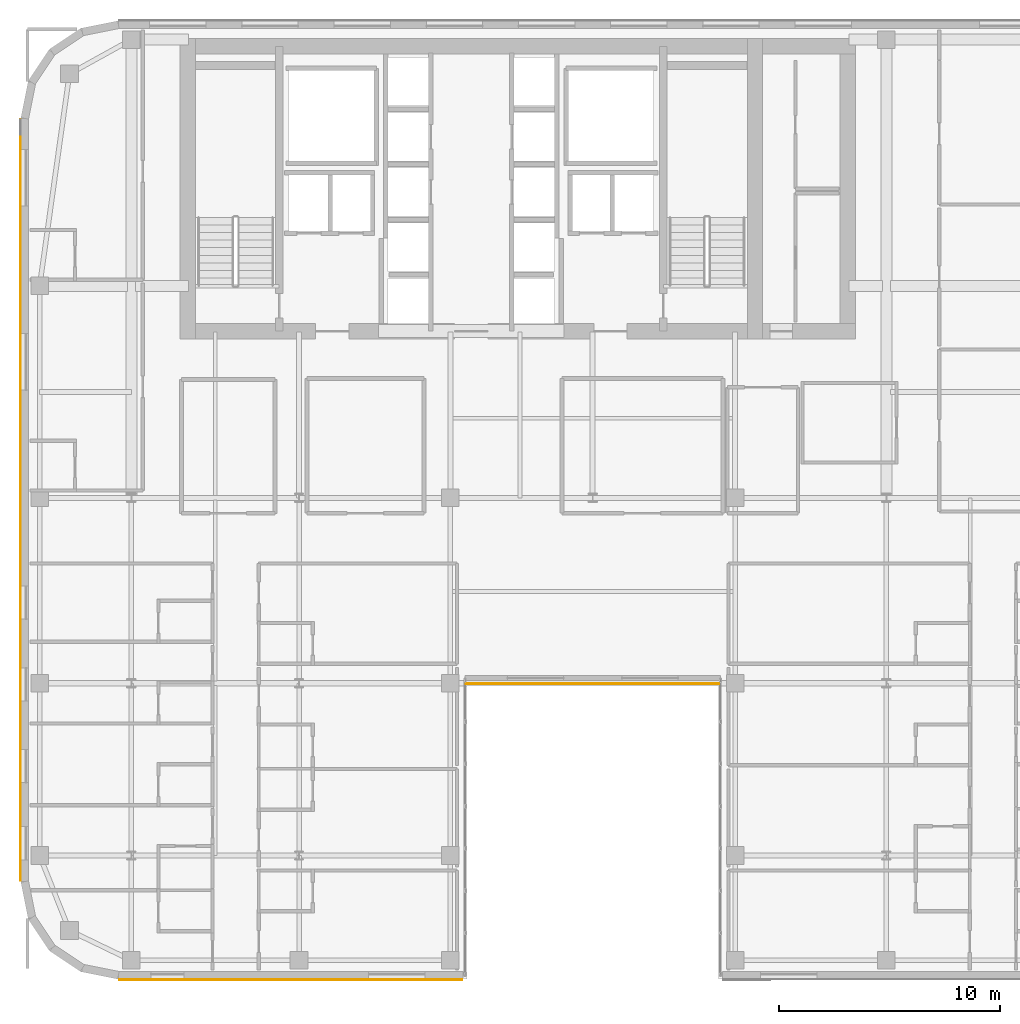
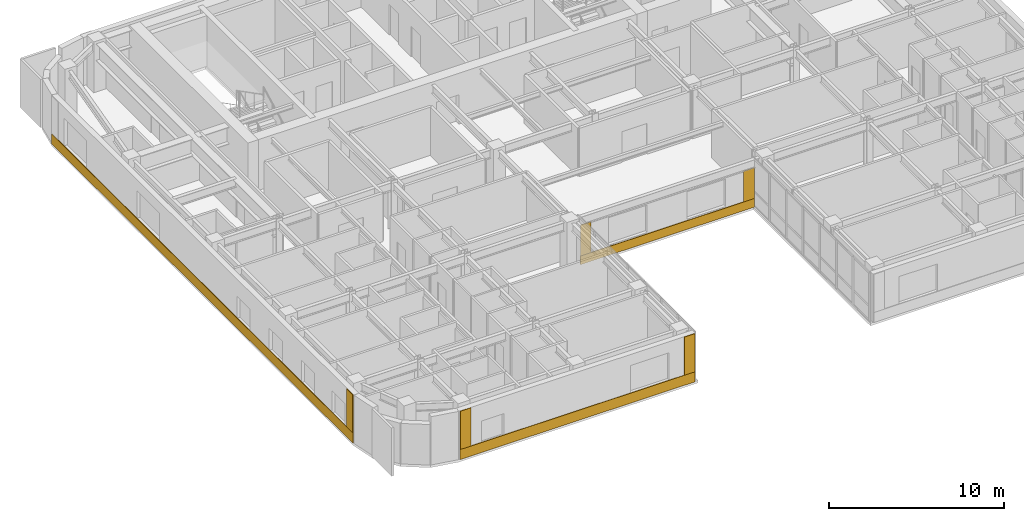
# One storey, part 17 of 21: 8 coverings.
"""IFC4 building model written with IfcOpenShell, lengths in metres."""

import ifcopenshell
import ifcopenshell.guid

model = None  # the IFC model being written
_history = None  # IfcOwnerHistory: only IFC2X3 demands one
_inside = {}  # id of a spatial element -> (the spatial element, [elements in it])
_under = {}  # id of a project, library or spatial element -> (it, [spatial elements below it])
_declared = {}  # id of a project -> (the project, [libraries it declares])
_typed = {}  # id of a type object -> (the type object, [elements of that type])
_made_of = {}  # id of a material, layer set ... -> (it, [elements and type objects made of it])


def new_model(schema):
    """Start an empty IFC model of exactly this schema.

    Asked for "IFC4X3", IfcOpenShell would pick the latest addendum, in which some entities
    have other attributes; the version numbers below select the first issue.
    IFC2X3 requires an IfcOwnerHistory on every rooted entity: one is made here for all.
    """
    global model, _history
    if schema == "IFC4X3":
        model = ifcopenshell.file(schema_version=(4, 3, 0, 0))
    else:
        model = ifcopenshell.file(schema=schema)
    _inside.clear()
    _under.clear()
    _declared.clear()
    _typed.clear()
    _made_of.clear()
    _history = None
    if model.schema == "IFC2X3":
        org = make("IfcOrganization", Name="unknown")
        user = make(
            "IfcPersonAndOrganization",
            ThePerson=make("IfcPerson", FamilyName="unknown"),
            TheOrganization=org,
        )
        app = make(
            "IfcApplication",
            ApplicationDeveloper=org,
            Version="unknown",
            ApplicationFullName="unknown",
            ApplicationIdentifier="unknown",
        )
        _history = make(
            "IfcOwnerHistory",
            OwningUser=user,
            OwningApplication=app,
            ChangeAction="ADDED",
            CreationDate=0,
        )
    return model


def make(cls, **values):
    """One entity of the class cls with the attributes given. An attribute that is None is left unset."""
    return model.create_entity(
        cls, **{name: value for name, value in values.items() if value is not None}
    )


def rooted(cls, **values):
    """An entity with a GlobalId (a new one), such as an element, a storey or a relation."""
    return make(cls, GlobalId=ifcopenshell.guid.new(), OwnerHistory=_history, **values)


def si_unit(unit_type, name, prefix=None):
    """IfcSIUnit, for example si_unit("LENGTHUNIT", "METRE", prefix="MILLI")."""
    return make("IfcSIUnit", UnitType=unit_type, Prefix=prefix, Name=name)


def assignment(units):
    """IfcUnitAssignment: the units of a project."""
    return None if units is None else make("IfcUnitAssignment", Units=units)


def point(xyz):
    """IfcCartesianPoint."""
    return None if xyz is None else make("IfcCartesianPoint", Coordinates=xyz)


def direction(xyz):
    """IfcDirection."""
    return None if xyz is None else make("IfcDirection", DirectionRatios=xyz)


def frame(location, z_axis=None, x_axis=None):
    """IfcAxis2Placement3D, a coordinate frame: its origin and axes. An axis left out is left unset."""
    return make(
        "IfcAxis2Placement3D",
        Location=point(location),
        Axis=direction(z_axis),
        RefDirection=direction(x_axis),
    )


def origin():
    """The frame at (0, 0, 0) with its axes left unset."""
    return frame((0.0, 0.0, 0.0))


def place(relative_to, where):
    """IfcLocalPlacement: puts the frame where relative to a parent placement (None: the world)."""
    return make(
        "IfcLocalPlacement", PlacementRelTo=relative_to, RelativePlacement=where
    )


def context(
    kind, dimensions, precision=None, world=None, true_north=None, identifier=None
):
    """IfcGeometricRepresentationContext, for example the 3D "Model" context."""
    return make(
        "IfcGeometricRepresentationContext",
        ContextIdentifier=identifier,
        ContextType=kind,
        CoordinateSpaceDimension=dimensions,
        Precision=precision,
        WorldCoordinateSystem=world,
        TrueNorth=true_north,
    )


def subcontext(parent, identifier, kind, view, scale=None):
    """IfcGeometricRepresentationSubContext, for example "Body" below "Model"."""
    return make(
        "IfcGeometricRepresentationSubContext",
        ContextIdentifier=identifier,
        ContextType=kind,
        ParentContext=parent,
        TargetScale=scale,
        TargetView=view,
    )


def project(units=None, contexts=None):
    """IfcProject with its units and contexts."""
    return rooted(
        "IfcProject",
        Name="project",
        RepresentationContexts=contexts,
        UnitsInContext=assignment(units),
    )


def spatial(cls, under=None, at=None, **own):
    """A site, building, storey or space (cls), placed at a placement, below another one or the project."""
    s = rooted(cls, ObjectPlacement=at, **own)
    if under is not None:
        _under.setdefault(under.id(), (under, []))[1].append(s)
    return s


def polyline(points):
    """IfcPolyline through the points."""
    return make("IfcPolyline", Points=[point(p) for p in points])


def outline(outer, holes=None, kind="AREA"):
    """IfcArbitraryClosedProfileDef: a profile drawn as a closed curve; with holes, ...WithVoids."""
    if holes is None:
        return make("IfcArbitraryClosedProfileDef", ProfileType=kind, OuterCurve=outer)
    return make(
        "IfcArbitraryProfileDefWithVoids",
        ProfileType=kind,
        OuterCurve=outer,
        InnerCurves=holes,
    )


def extrude(swept, where, along, depth):
    """IfcExtrudedAreaSolid: the profile swept, set in the frame where, extruded along a direction by depth."""
    return make(
        "IfcExtrudedAreaSolid",
        SweptArea=swept,
        Position=where,
        ExtrudedDirection=direction(along),
        Depth=depth,
    )


def shape(context_of_items, identifier, shape_type, items):
    """IfcShapeRepresentation: the items that make up one representation, for example the "Body"."""
    return make(
        "IfcShapeRepresentation",
        ContextOfItems=context_of_items,
        RepresentationIdentifier=identifier,
        RepresentationType=shape_type,
        Items=items,
    )


def material(Name=None, Category=None):
    """IfcMaterial."""
    return make("IfcMaterial", Name=Name, Category=Category)


def layer(
    of_material, thickness, ventilated=None, Name=None, Category=None, Priority=None
):
    """IfcMaterialLayer: one layer of a wall or slab, of a material (None: an air gap)."""
    return make(
        "IfcMaterialLayer",
        Material=of_material,
        LayerThickness=thickness,
        IsVentilated=ventilated,
        Name=Name,
        Category=Category,
        Priority=Priority,
    )


def layer_set(layers, Name=None):
    """IfcMaterialLayerSet."""
    return make("IfcMaterialLayerSet", MaterialLayers=layers, LayerSetName=Name)


def made_of(thing, what):
    """Note that an element or type object is made of a material, layer set ...; save() writes the relation."""
    if what is not None:
        _made_of.setdefault(what.id(), (what, []))[1].append(thing)
    return thing


def type_object(cls, material=None, **own):
    """A type object (cls), such as IfcWallType, which elements share."""
    return made_of(rooted(cls, **own), material)


def element(
    cls,
    number,
    at=None,
    inside=None,
    cuts=None,
    type_object=None,
    material=None,
    context=None,
    identifier="Body",
    shape_type=None,
    held_by="IfcProductDefinitionShape",
    body=None,
    shapes=None,
    **own,
):
    """One element of the class cls, such as IfcWall. Its Tag is "e" and its number.

    at: its placement. inside: the storey or other place that contains it. cuts: it is an
    opening in that element (IfcRelVoidsElement). A single representation is given by context,
    identifier, shape_type and body (its items); several are given by shapes. held_by: the class
    of the entity that holds the representations. save() writes the other relations.
    """
    e = rooted(cls, Tag="e%d" % number, ObjectPlacement=at, **own)
    if body is not None:
        shapes = [shape(context, identifier, shape_type, body)]
    if shapes is not None:
        e.Representation = make(held_by, Representations=shapes)
    if inside is not None:
        _inside.setdefault(inside.id(), (inside, []))[1].append(e)
    if cuts is not None:
        rooted(
            "IfcRelVoidsElement", RelatingBuildingElement=cuts, RelatedOpeningElement=e
        )
    if type_object is not None:
        _typed.setdefault(type_object.id(), (type_object, []))[1].append(e)
    return made_of(e, material)


def aggregate(whole, parts):
    """IfcRelAggregates: a whole, such as a stair, and the parts it consists of."""
    return rooted("IfcRelAggregates", RelatingObject=whole, RelatedObjects=parts)


def save(model, path):
    """Write the relations noted so far, then the file.

    IfcRelAggregates (storeys below a building ...), IfcRelContainedInSpatialStructure (elements
    in a storey), IfcRelDefinesByType, IfcRelAssociatesMaterial and IfcRelDeclares: one each for
    every whole, place, type object, material and project.
    """
    for whole, parts in _under.values():
        aggregate(whole, parts)
    for where, things in _inside.values():
        rooted(
            "IfcRelContainedInSpatialStructure",
            RelatedElements=things,
            RelatingStructure=where,
        )
    for kind, things in _typed.values():
        rooted("IfcRelDefinesByType", RelatedObjects=things, RelatingType=kind)
    for what, things in _made_of.values():
        rooted("IfcRelAssociatesMaterial", RelatedObjects=things, RelatingMaterial=what)
    for by, libraries in _declared.values():
        rooted("IfcRelDeclares", RelatingContext=by, RelatedDefinitions=libraries)
    model.write(path)


model = new_model("IFC4")

# Units and contexts
model_context = context("Model", 3, precision=1e-05, world=origin(), true_north=direction((0.0, 1.0)))
body_context = subcontext(model_context, "Body", "Model", "MODEL_VIEW")
ifc_project = project(units=[si_unit("LENGTHUNIT", "METRE"), si_unit("AREAUNIT", "SQUARE_METRE"), si_unit("VOLUMEUNIT", "CUBIC_METRE"), si_unit("PLANEANGLEUNIT", "RADIAN"), si_unit("MASSUNIT", "GRAM", prefix="KILO")], contexts=[model_context])

# Site, building, storey
site_placement = place(None, origin())
site = spatial("IfcSite", under=ifc_project, at=site_placement, CompositionType="ELEMENT")
building_placement = place(site_placement, origin())
building = spatial("IfcBuilding", under=site, at=building_placement, Name="Tolvann Quenvar Hotel", CompositionType="ELEMENT")
storey_placement = place(building_placement, frame((0.0, 0.0, 161.25)))
storey = spatial("IfcBuildingStorey", under=building, at=storey_placement, Name="L42", CompositionType="ELEMENT", Elevation=161.25)

# Coverings
ifc_material_1 = material(Name="Kiln-fired red architectural face brick cladding", Category="masonry")
ifc_layer_1 = layer(ifc_material_1, 0.0400390625)
ifc_layer_set_1 = layer_set([ifc_layer_1], Name="Kiln-fired red architectural face brick cladding")
covering_type_1 = type_object("IfcCoveringType", Name="COV_CLAD_BRICK_40", PredefinedType="CLADDING", material=ifc_layer_set_1)
covering_1_placement = place(storey_placement, frame((0.0, 0.0, 0.699951171875)))
element("IfcCovering", 1, at=covering_1_placement, inside=storey, type_object=covering_type_1, Name="Brick Pier Cladding (L42-E04-P1)", PredefinedType="CLADDING", context=body_context, shape_type="SweptSolid", body=[
    extrude(outline(polyline([(7.067138671875, 2.60009765625), (7.76708984375, 2.60009765625), (7.76708984375, 2.56005859375), (7.067138671875, 2.56005859375), (7.067138671875, 2.60009765625)])), origin(), (0.0, 0.0, 1.0), 2.670166015625),
])
covering_2_placement = place(storey_placement, frame((0.0, 0.0, 0.699951171875)))
element("IfcCovering", 2, at=covering_2_placement, inside=storey, type_object=covering_type_1, Name="Brick Pier Cladding (L42-E04-P2)", PredefinedType="CLADDING", context=body_context, shape_type="SweptSolid", body=[
    extrude(outline(polyline([(21.875, 2.60009765625), (22.574951171875, 2.60009765625), (22.574951171875, 2.56005859375), (21.875, 2.56005859375), (21.875, 2.60009765625)])), origin(), (0.0, 0.0, 1.0), 2.670166015625),
])
covering_3_placement = place(storey_placement, frame((0.0, 0.0, 0.606689453125)))
element("IfcCovering", 3, at=covering_3_placement, inside=storey, type_object=covering_type_1, Name="Brick Pier Cladding (L42-E06-P1)", PredefinedType="CLADDING", context=body_context, shape_type="SweptSolid", body=[
    extrude(outline(polyline([(22.760009765625, 16.0), (23.4599609375, 16.0), (23.4599609375, 15.9599609375), (22.760009765625, 15.9599609375), (22.760009765625, 16.0)])), origin(), (0.0, 0.0, 1.0), 2.1513671875),
])
covering_4_placement = place(storey_placement, frame((0.0, 0.0, 0.606689453125)))
element("IfcCovering", 4, at=covering_4_placement, inside=storey, type_object=covering_type_1, Name="Brick Pier Cladding (L42-E06-P2)", PredefinedType="CLADDING", context=body_context, shape_type="SweptSolid", body=[
    extrude(outline(polyline([(33.5400390625, 16.0), (34.239990234375, 16.0), (34.239990234375, 15.9599609375), (33.5400390625, 15.9599609375), (33.5400390625, 16.0)])), origin(), (0.0, 0.0, 1.0), 2.1513671875),
])
covering_5_placement = place(storey_placement, frame((0.0, 0.0, 0.699951171875)))
element("IfcCovering", 5, at=covering_5_placement, inside=storey, type_object=covering_type_1, Name="Brick Pier Cladding (L42-E23-P2)", PredefinedType="CLADDING", context=body_context, shape_type="SweptSolid", body=[
    extrude(outline(polyline([(2.60009765625, 7.76708984375), (2.60009765625, 7.067138671875), (2.56005859375, 7.067138671875), (2.56005859375, 7.76708984375), (2.60009765625, 7.76708984375)])), origin(), (0.0, 0.0, 1.0), 2.670166015625),
])
ifc_material_2 = material(Name="Moulded buff architectural terracotta spandrel cladding", Category="masonry")
ifc_layer_2 = layer(ifc_material_2, 0.0400390625)
ifc_layer_set_2 = layer_set([ifc_layer_2], Name="Moulded buff architectural terracotta spandrel cladding")
covering_type_2 = type_object("IfcCoveringType", Name="COV_CLAD_TERRA_40", PredefinedType="CLADDING", material=ifc_layer_set_2)
covering_6_placement = place(storey_placement, origin())
element("IfcCovering", 6, at=covering_6_placement, inside=storey, type_object=covering_type_2, Name="Terracotta Spandrel Cladding (L42-E04)", PredefinedType="CLADDING", context=body_context, shape_type="SweptSolid", body=[
    extrude(outline(polyline([(7.05712890625, 2.60009765625), (22.5849609375, 2.60009765625), (22.5849609375, 2.56005859375), (7.05712890625, 2.56005859375), (7.05712890625, 2.60009765625)])), origin(), (0.0, 0.0, 1.0), 0.699951171875),
])
covering_7_placement = place(storey_placement, origin())
element("IfcCovering", 7, at=covering_7_placement, inside=storey, type_object=covering_type_2, Name="Terracotta Spandrel Cladding (L42-E06)", PredefinedType="CLADDING", context=body_context, shape_type="SweptSolid", body=[
    extrude(outline(polyline([(22.75, 16.0), (34.25, 16.0), (34.25, 15.9599609375), (22.75, 15.9599609375), (22.75, 16.0)])), origin(), (0.0, 0.0, 1.0), 0.606689453125),
])
covering_8_placement = place(storey_placement, origin())
element("IfcCovering", 8, at=covering_8_placement, inside=storey, type_object=covering_type_2, Name="Terracotta Spandrel Cladding (L42-E23)", PredefinedType="CLADDING", context=body_context, shape_type="SweptSolid", body=[
    extrude(outline(polyline([(2.60009765625, 41.542724609375), (2.60009765625, 7.05712890625), (2.56005859375, 7.05712890625), (2.56005859375, 41.542724609375), (2.60009765625, 41.542724609375)])), origin(), (0.0, 0.0, 1.0), 0.699951171875),
])

save(model, "model.ifc")
